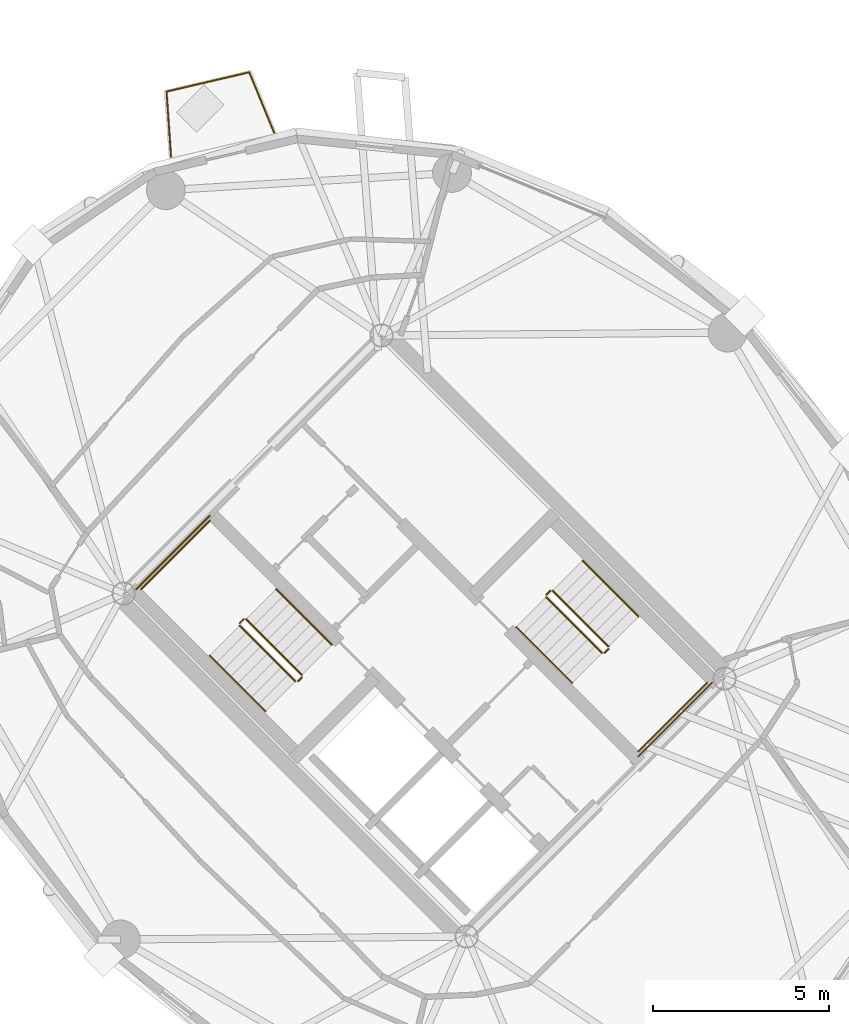
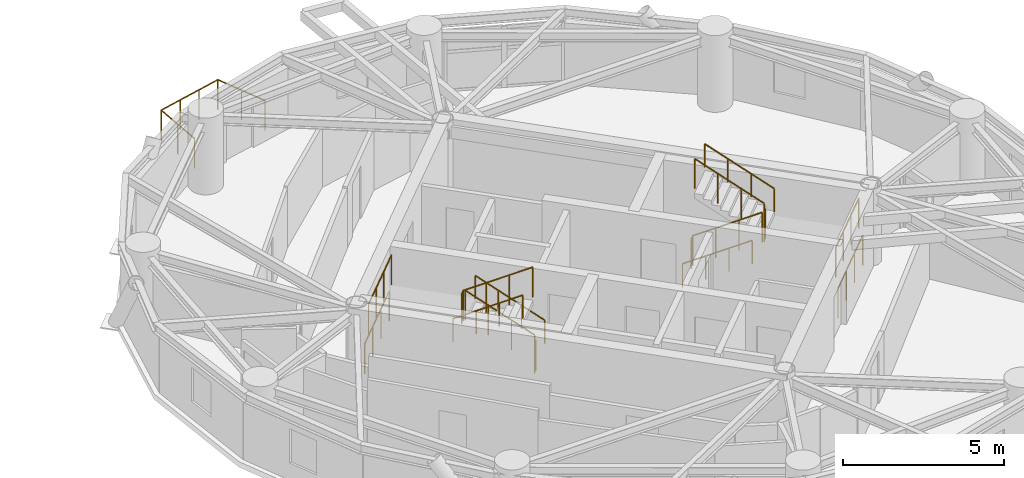
# One storey, part 15 of 16: 17 railings.
"""IFC4 building model written with IfcOpenShell, lengths in metres."""

from ifc_helpers import new_model, si_unit, direction, frame, origin, origin_2d, place, context, subcontext, project, spatial, circle, extrude, material, type_object, element, save


model = new_model("IFC4")

# Units and contexts
model_context = context("Model", 3, precision=1e-05, world=origin(), true_north=direction((0.0, 1.0)))
body_context = subcontext(model_context, "Body", "Model", "MODEL_VIEW")
ifc_project = project(units=[si_unit("LENGTHUNIT", "METRE"), si_unit("AREAUNIT", "SQUARE_METRE"), si_unit("VOLUMEUNIT", "CUBIC_METRE"), si_unit("PLANEANGLEUNIT", "RADIAN"), si_unit("MASSUNIT", "GRAM", prefix="KILO")], contexts=[model_context])

# Site, building, storey
site_placement = place(None, origin())
site = spatial("IfcSite", under=ifc_project, at=site_placement, CompositionType="ELEMENT")
building_placement = place(site_placement, origin())
building = spatial("IfcBuilding", under=site, at=building_placement, Name="Cununo Teusaquillo Station Towers", CompositionType="ELEMENT")
storey_placement = place(building_placement, frame((0.0, 0.0, 214.1201171875)))
storey = spatial("IfcBuildingStorey", under=building, at=storey_placement, Name="L68", CompositionType="ELEMENT", Elevation=214.1201171875)

# Railings
ifc_material_1 = material(Name="Anodised dark bronze aluminium EN AW-6063-T6", Category="aluminium")
railing_type_1 = type_object("IfcRailingType", Name="RL-EXT-GUARD", PredefinedType="GUARDRAIL", material=ifc_material_1)
railing_1_placement = place(storey_placement, frame((50.320556640625, 38.0986328125, 0.0)))
element("IfcRailing", 1, at=railing_1_placement, inside=storey, type_object=railing_type_1, Name="L68 Tower B Balcony Guardrail C03", PredefinedType="GUARDRAIL", context=body_context, shape_type="SweptSolid", body=[
    extrude(circle(Radius=0.02392578125, at=origin_2d()), frame((0.0, 0.0, 1.1259765625), z_axis=(-0.068657089116, 0.997640318007, 0.0), x_axis=(-0.997640318007, -0.068657089116, 0.0)), (0.0, 0.0, 1.0), 1.84912109375),
    extrude(circle(Radius=0.02392578125, at=origin_2d()), frame((-0.126953125, 1.8447265625, 1.1259765625), z_axis=(0.973841956979, 0.227226413139, 0.0), x_axis=(-0.227226413139, 0.973841956979, 0.0)), (0.0, 0.0, 1.0), 2.409912109375),
    extrude(circle(Radius=0.02392578125, at=origin_2d()), frame((2.219970703125, 2.392333984375, 1.1259765625), z_axis=(0.379912800848, -0.925022304462, 0.0), x_axis=(0.925022304462, 0.379912800848, 0.0)), (0.0, 0.0, 1.0), 1.848876953125),
    extrude(circle(Radius=0.02099609375, at=origin_2d()), origin(), (0.0, 0.0, 1.0), 1.101806640625),
    extrude(circle(Radius=0.02099609375, at=origin_2d()), frame((-0.0634765625, 0.92236328125, 0.0)), (0.0, 0.0, 1.0), 1.101806640625),
    extrude(circle(Radius=0.02099609375, at=origin_2d()), frame((-0.126953125, 1.8447265625, 0.0)), (0.0, 0.0, 1.0), 1.101806640625),
    extrude(circle(Radius=0.02099609375, at=origin_2d()), frame((0.6552734375, 2.02734375, 0.0)), (0.0, 0.0, 1.0), 1.101806640625),
    extrude(circle(Radius=0.02099609375, at=origin_2d()), frame((1.437744140625, 2.209716796875, 0.0)), (0.0, 0.0, 1.0), 1.101806640625),
    extrude(circle(Radius=0.02099609375, at=origin_2d()), frame((2.219970703125, 2.392333984375, 0.0)), (0.0, 0.0, 1.0), 1.101806640625),
    extrude(circle(Radius=0.02099609375, at=origin_2d()), frame((2.5712890625, 1.537109375, 0.0)), (0.0, 0.0, 1.0), 1.101806640625),
    extrude(circle(Radius=0.02099609375, at=origin_2d()), frame((2.92236328125, 0.68212890625, 0.0)), (0.0, 0.0, 1.0), 1.101806640625),
])
ifc_material_2 = material(Name="Steel EN 10025-2 S355J2", Category="steel")
railing_type_2 = type_object("IfcRailingType", Name="RL-INT-GUARD", PredefinedType="GUARDRAIL", material=ifc_material_2)
railing_2_placement = place(storey_placement, frame((54.03515625, 23.39697265625, 0.16162109375)))
element("IfcRailing", 2, at=railing_2_placement, inside=storey, type_object=railing_type_2, Name="L68 ST-T2-1 stair guard 1", PredefinedType="GUARDRAIL", context=body_context, shape_type="SweptSolid", body=[
    extrude(circle(Radius=0.02392578125, at=origin_2d()), frame((0.0, 0.0, 1.1259765625), z_axis=(-0.612361259024, 0.612361259024, 0.500027376144), x_axis=(-0.707106781187, -0.707106781187, 0.0)), (0.0, 0.0, 1.0), 2.586181640625),
    extrude(circle(Radius=0.02099609375, at=origin_2d()), origin(), (0.0, 0.0, 1.0), 1.101806640625),
    extrude(circle(Radius=0.02099609375, at=origin_2d()), frame((-0.52783203125, 0.52783203125, 0.43115234375)), (0.0, 0.0, 1.0), 1.101806640625),
    extrude(circle(Radius=0.02099609375, at=origin_2d()), frame((-1.055908203125, 1.055908203125, 0.862060546875)), (0.0, 0.0, 1.0), 1.101806640625),
    extrude(circle(Radius=0.02099609375, at=origin_2d()), frame((-1.583740234375, 1.583740234375, 1.293212890625)), (0.0, 0.0, 1.0), 1.101806640625),
])
railing_3_placement = place(storey_placement, frame((52.380615234375, 24.980712890625, 1.454833984375)))
element("IfcRailing", 3, at=railing_3_placement, inside=storey, type_object=railing_type_2, Name="L68 ST-T2-1 stair guard 2", PredefinedType="GUARDRAIL", context=body_context, shape_type="SweptSolid", body=[
    extrude(circle(Radius=0.02392578125, at=origin_2d()), frame((0.0, 0.0, 1.1259765625), z_axis=(-0.7078691598, -0.706343579714, 0.0), x_axis=(0.706343579714, -0.7078691598, 0.0)), (0.0, 0.0, 1.0), 0.159912109375),
    extrude(circle(Radius=0.02099609375, at=origin_2d()), origin(), (0.0, 0.0, 1.0), 1.101806640625),
    extrude(circle(Radius=0.02099609375, at=origin_2d()), frame((-0.11328125, -0.113037109375, 0.0)), (0.0, 0.0, 1.0), 1.101806640625),
])
railing_4_placement = place(storey_placement, frame((51.426025390625, 27.77392578125, 1.454833984375)))
element("IfcRailing", 4, at=railing_4_placement, inside=storey, type_object=railing_type_2, Name="L68 ST-T2-1 stair guard 3", PredefinedType="GUARDRAIL", context=body_context, shape_type="SweptSolid", body=[
    extrude(circle(Radius=0.02392578125, at=origin_2d()), frame((0.0, 0.0, 1.1259765625), z_axis=(-0.707106781187, -0.707106781187, 0.0), x_axis=(0.707106781187, -0.707106781187, 0.0)), (0.0, 0.0, 1.0), 2.760009765625),
    extrude(circle(Radius=0.02099609375, at=origin_2d()), origin(), (0.0, 0.0, 1.0), 1.101806640625),
    extrude(circle(Radius=0.02099609375, at=origin_2d()), frame((-0.650634765625, -0.650634765625, 0.0)), (0.0, 0.0, 1.0), 1.101806640625),
    extrude(circle(Radius=0.02099609375, at=origin_2d()), frame((-1.301025390625, -1.301025390625, 0.0)), (0.0, 0.0, 1.0), 1.101806640625),
    extrude(circle(Radius=0.02099609375, at=origin_2d()), frame((-1.95166015625, -1.95166015625, 0.0)), (0.0, 0.0, 1.0), 1.101806640625),
])
railing_5_placement = place(storey_placement, frame((52.267333984375, 24.796875, 1.616455078125)))
element("IfcRailing", 5, at=railing_5_placement, inside=storey, type_object=railing_type_2, Name="L68 ST-T2-1 stair guard 4", PredefinedType="GUARDRAIL", context=body_context, shape_type="SweptSolid", body=[
    extrude(circle(Radius=0.02392578125, at=origin_2d()), frame((0.0, 0.0, 1.1259765625), z_axis=(0.612391349474, -0.612296961165, 0.500069261639), x_axis=(0.707052281454, 0.707161276719, 0.0)), (0.0, 0.0, 1.0), 2.586669921875),
    extrude(circle(Radius=0.02099609375, at=origin_2d()), origin(), (0.0, 0.0, 1.0), 1.101806640625),
    extrude(circle(Radius=0.02099609375, at=origin_2d()), frame((0.528076171875, -0.52783203125, 0.43115234375)), (0.0, 0.0, 1.0), 1.101806640625),
    extrude(circle(Radius=0.02099609375, at=origin_2d()), frame((1.055908203125, -1.055908203125, 0.8623046875)), (0.0, 0.0, 1.0), 1.101806640625),
    extrude(circle(Radius=0.02099609375, at=origin_2d()), frame((1.583984375, -1.583740234375, 1.29345703125)), (0.0, 0.0, 1.0), 1.101806640625),
])
railing_6_placement = place(storey_placement, frame((54.03515625, 23.326171875, 0.0)))
element("IfcRailing", 6, at=railing_6_placement, inside=storey, type_object=railing_type_2, Name="L68 ST-T2-1 stair guard 5", PredefinedType="GUARDRAIL", context=body_context, shape_type="SweptSolid", body=[
    extrude(circle(Radius=0.02392578125, at=origin_2d()), frame((0.0, 0.0, 1.1259765625), z_axis=(-0.707106781187, -0.707106781187, 0.0), x_axis=(0.707106781187, -0.707106781187, 0.0)), (0.0, 0.0, 1.0), 0.159912109375),
    extrude(circle(Radius=0.02099609375, at=origin_2d()), origin(), (0.0, 0.0, 1.0), 1.101806640625),
    extrude(circle(Radius=0.02099609375, at=origin_2d()), frame((-0.113037109375, -0.113037109375, 0.0)), (0.0, 0.0, 1.0), 1.101806640625),
])
railing_7_placement = place(storey_placement, frame((51.426025390625, 27.915283203125, 0.0)))
element("IfcRailing", 7, at=railing_7_placement, inside=storey, type_object=railing_type_2, Name="L68 ST-T2-1 stair guard 6", PredefinedType="GUARDRAIL", context=body_context, shape_type="SweptSolid", body=[
    extrude(circle(Radius=0.02392578125, at=origin_2d()), frame((0.0, 0.0, 1.1259765625), z_axis=(-0.707106781187, -0.707106781187, 0.0), x_axis=(0.707106781187, -0.707106781187, 0.0)), (0.0, 0.0, 1.0), 2.9599609375),
    extrude(circle(Radius=0.02099609375, at=origin_2d()), origin(), (0.0, 0.0, 1.0), 1.101806640625),
    extrude(circle(Radius=0.02099609375, at=origin_2d()), frame((-0.69775390625, -0.69775390625, 0.0)), (0.0, 0.0, 1.0), 1.101806640625),
    extrude(circle(Radius=0.02099609375, at=origin_2d()), frame((-1.395263671875, -1.395263671875, 0.0)), (0.0, 0.0, 1.0), 1.101806640625),
    extrude(circle(Radius=0.02099609375, at=origin_2d()), frame((-2.093017578125, -2.093017578125, 0.0)), (0.0, 0.0, 1.0), 1.101806640625),
])
railing_8_placement = place(storey_placement, frame((60.96484375, 25.60302734375, 0.16162109375)))
element("IfcRailing", 8, at=railing_8_placement, inside=storey, type_object=railing_type_2, Name="L68 ST-T2-2 stair guard 1", PredefinedType="GUARDRAIL", context=body_context, shape_type="SweptSolid", body=[
    extrude(circle(Radius=0.02392578125, at=origin_2d()), frame((0.0, 0.0, 1.1259765625), z_axis=(0.612361259024, -0.612361259024, 0.500027376144), x_axis=(0.707106781187, 0.707106781187, 0.0)), (0.0, 0.0, 1.0), 2.586181640625),
    extrude(circle(Radius=0.02099609375, at=origin_2d()), origin(), (0.0, 0.0, 1.0), 1.101806640625),
    extrude(circle(Radius=0.02099609375, at=origin_2d()), frame((0.52783203125, -0.52783203125, 0.43115234375)), (0.0, 0.0, 1.0), 1.101806640625),
    extrude(circle(Radius=0.02099609375, at=origin_2d()), frame((1.055908203125, -1.055908203125, 0.862060546875)), (0.0, 0.0, 1.0), 1.101806640625),
    extrude(circle(Radius=0.02099609375, at=origin_2d()), frame((1.583740234375, -1.583740234375, 1.293212890625)), (0.0, 0.0, 1.0), 1.101806640625),
])
railing_9_placement = place(storey_placement, frame((62.619384765625, 24.019287109375, 1.454833984375)))
element("IfcRailing", 9, at=railing_9_placement, inside=storey, type_object=railing_type_2, Name="L68 ST-T2-2 stair guard 2", PredefinedType="GUARDRAIL", context=body_context, shape_type="SweptSolid", body=[
    extrude(circle(Radius=0.02392578125, at=origin_2d()), frame((0.0, 0.0, 1.1259765625), z_axis=(0.7078691598, 0.706343579714, 0.0), x_axis=(-0.706343579714, 0.7078691598, 0.0)), (0.0, 0.0, 1.0), 0.159912109375),
    extrude(circle(Radius=0.02099609375, at=origin_2d()), origin(), (0.0, 0.0, 1.0), 1.101806640625),
    extrude(circle(Radius=0.02099609375, at=origin_2d()), frame((0.11328125, 0.113037109375, 0.0)), (0.0, 0.0, 1.0), 1.101806640625),
])
railing_10_placement = place(storey_placement, frame((63.573974609375, 21.22607421875, 1.454833984375)))
element("IfcRailing", 10, at=railing_10_placement, inside=storey, type_object=railing_type_2, Name="L68 ST-T2-2 stair guard 3", PredefinedType="GUARDRAIL", context=body_context, shape_type="SweptSolid", body=[
    extrude(circle(Radius=0.02392578125, at=origin_2d()), frame((0.0, 0.0, 1.1259765625), z_axis=(0.707106781187, 0.707106781187, 0.0), x_axis=(-0.707106781187, 0.707106781187, 0.0)), (0.0, 0.0, 1.0), 2.760009765625),
    extrude(circle(Radius=0.02099609375, at=origin_2d()), origin(), (0.0, 0.0, 1.0), 1.101806640625),
    extrude(circle(Radius=0.02099609375, at=origin_2d()), frame((0.650634765625, 0.650634765625, 0.0)), (0.0, 0.0, 1.0), 1.101806640625),
    extrude(circle(Radius=0.02099609375, at=origin_2d()), frame((1.301025390625, 1.301025390625, 0.0)), (0.0, 0.0, 1.0), 1.101806640625),
    extrude(circle(Radius=0.02099609375, at=origin_2d()), frame((1.95166015625, 1.95166015625, 0.0)), (0.0, 0.0, 1.0), 1.101806640625),
])
railing_11_placement = place(storey_placement, frame((62.732666015625, 24.203125, 1.616455078125)))
element("IfcRailing", 11, at=railing_11_placement, inside=storey, type_object=railing_type_2, Name="L68 ST-T2-2 stair guard 4", PredefinedType="GUARDRAIL", context=body_context, shape_type="SweptSolid", body=[
    extrude(circle(Radius=0.02392578125, at=origin_2d()), frame((0.0, 0.0, 1.1259765625), z_axis=(-0.612391349474, 0.612296961165, 0.500069261639), x_axis=(-0.707052281454, -0.707161276719, 0.0)), (0.0, 0.0, 1.0), 2.586669921875),
    extrude(circle(Radius=0.02099609375, at=origin_2d()), origin(), (0.0, 0.0, 1.0), 1.101806640625),
    extrude(circle(Radius=0.02099609375, at=origin_2d()), frame((-0.528076171875, 0.52783203125, 0.43115234375)), (0.0, 0.0, 1.0), 1.101806640625),
    extrude(circle(Radius=0.02099609375, at=origin_2d()), frame((-1.055908203125, 1.055908203125, 0.8623046875)), (0.0, 0.0, 1.0), 1.101806640625),
    extrude(circle(Radius=0.02099609375, at=origin_2d()), frame((-1.583984375, 1.583740234375, 1.29345703125)), (0.0, 0.0, 1.0), 1.101806640625),
])
railing_12_placement = place(storey_placement, frame((60.96484375, 25.673828125, 0.0)))
element("IfcRailing", 12, at=railing_12_placement, inside=storey, type_object=railing_type_2, Name="L68 ST-T2-2 stair guard 5", PredefinedType="GUARDRAIL", context=body_context, shape_type="SweptSolid", body=[
    extrude(circle(Radius=0.02392578125, at=origin_2d()), frame((0.0, 0.0, 1.1259765625), z_axis=(0.707106781187, 0.707106781187, 0.0), x_axis=(-0.707106781187, 0.707106781187, 0.0)), (0.0, 0.0, 1.0), 0.159912109375),
    extrude(circle(Radius=0.02099609375, at=origin_2d()), origin(), (0.0, 0.0, 1.0), 1.101806640625),
    extrude(circle(Radius=0.02099609375, at=origin_2d()), frame((0.113037109375, 0.113037109375, 0.0)), (0.0, 0.0, 1.0), 1.101806640625),
])
railing_13_placement = place(storey_placement, frame((63.573974609375, 21.084716796875, 0.0)))
element("IfcRailing", 13, at=railing_13_placement, inside=storey, type_object=railing_type_2, Name="L68 ST-T2-2 stair guard 6", PredefinedType="GUARDRAIL", context=body_context, shape_type="SweptSolid", body=[
    extrude(circle(Radius=0.02392578125, at=origin_2d()), frame((0.0, 0.0, 1.1259765625), z_axis=(0.707106781187, 0.707106781187, 0.0), x_axis=(-0.707106781187, 0.707106781187, 0.0)), (0.0, 0.0, 1.0), 2.9599609375),
    extrude(circle(Radius=0.02099609375, at=origin_2d()), origin(), (0.0, 0.0, 1.0), 1.101806640625),
    extrude(circle(Radius=0.02099609375, at=origin_2d()), frame((0.69775390625, 0.69775390625, 0.0)), (0.0, 0.0, 1.0), 1.101806640625),
    extrude(circle(Radius=0.02099609375, at=origin_2d()), frame((1.395263671875, 1.395263671875, 0.0)), (0.0, 0.0, 1.0), 1.101806640625),
    extrude(circle(Radius=0.02099609375, at=origin_2d()), frame((2.093017578125, 2.093017578125, 0.0)), (0.0, 0.0, 1.0), 1.101806640625),
])
ifc_material_3 = material(Name="Steel EN 10025-2 S355J2", Category="steel")
railing_type_3 = type_object("IfcRailingType", Name="RL-INT-HRAIL", PredefinedType="HANDRAIL", material=ifc_material_3)
railing_14_placement = place(storey_placement, frame((54.8837890625, 24.245361328125, 0.16162109375)))
element("IfcRailing", 14, at=railing_14_placement, inside=storey, type_object=railing_type_3, Name="L68 ST-T2-1 stair handrail 1", PredefinedType="HANDRAIL", context=body_context, shape_type="SweptSolid", body=[
    extrude(circle(Radius=0.02392578125, at=origin_2d()), frame((0.0, 0.0, 0.8759765625), z_axis=(-0.612384857071, 0.612384857071, 0.499969572735), x_axis=(-0.707106781187, -0.707106781187, 0.0)), (0.0, 0.0, 1.0), 2.586669921875),
    extrude(circle(Radius=0.02099609375, at=origin_2d()), origin(), (0.0, 0.0, 1.0), 0.851806640625),
    extrude(circle(Radius=0.02099609375, at=origin_2d()), frame((-0.528076171875, 0.528076171875, 0.43115234375)), (0.0, 0.0, 1.0), 0.851806640625),
    extrude(circle(Radius=0.02099609375, at=origin_2d()), frame((-1.055908203125, 1.055908203125, 0.862060546875)), (0.0, 0.0, 1.0), 0.851806640625),
    extrude(circle(Radius=0.02099609375, at=origin_2d()), frame((-1.583984375, 1.583984375, 1.293212890625)), (0.0, 0.0, 1.0), 0.851806640625),
])
railing_15_placement = place(storey_placement, frame((51.4189453125, 23.948486328125, 1.616455078125)))
element("IfcRailing", 15, at=railing_15_placement, inside=storey, type_object=railing_type_3, Name="L68 ST-T2-1 stair handrail 2", PredefinedType="HANDRAIL", context=body_context, shape_type="SweptSolid", body=[
    extrude(circle(Radius=0.02392578125, at=origin_2d()), frame((0.0, 0.0, 0.8759765625), z_axis=(0.612355957468, -0.612355957468, 0.500040361077), x_axis=(0.707106781187, 0.707106781187, 0.0)), (0.0, 0.0, 1.0), 2.586669921875),
    extrude(circle(Radius=0.02099609375, at=origin_2d()), origin(), (0.0, 0.0, 1.0), 0.851806640625),
    extrude(circle(Radius=0.02099609375, at=origin_2d()), frame((0.528076171875, -0.528076171875, 0.43115234375)), (0.0, 0.0, 1.0), 0.851806640625),
    extrude(circle(Radius=0.02099609375, at=origin_2d()), frame((1.055908203125, -1.055908203125, 0.8623046875)), (0.0, 0.0, 1.0), 0.851806640625),
    extrude(circle(Radius=0.02099609375, at=origin_2d()), frame((1.583984375, -1.583984375, 1.29345703125)), (0.0, 0.0, 1.0), 0.851806640625),
])
railing_16_placement = place(storey_placement, frame((60.1162109375, 24.754638671875, 0.16162109375)))
element("IfcRailing", 16, at=railing_16_placement, inside=storey, type_object=railing_type_3, Name="L68 ST-T2-2 stair handrail 1", PredefinedType="HANDRAIL", context=body_context, shape_type="SweptSolid", body=[
    extrude(circle(Radius=0.02392578125, at=origin_2d()), frame((0.0, 0.0, 0.8759765625), z_axis=(0.612384857071, -0.612384857071, 0.499969572735), x_axis=(0.707106781187, 0.707106781187, 0.0)), (0.0, 0.0, 1.0), 2.586669921875),
    extrude(circle(Radius=0.02099609375, at=origin_2d()), origin(), (0.0, 0.0, 1.0), 0.851806640625),
    extrude(circle(Radius=0.02099609375, at=origin_2d()), frame((0.528076171875, -0.528076171875, 0.43115234375)), (0.0, 0.0, 1.0), 0.851806640625),
    extrude(circle(Radius=0.02099609375, at=origin_2d()), frame((1.055908203125, -1.055908203125, 0.862060546875)), (0.0, 0.0, 1.0), 0.851806640625),
    extrude(circle(Radius=0.02099609375, at=origin_2d()), frame((1.583984375, -1.583984375, 1.293212890625)), (0.0, 0.0, 1.0), 0.851806640625),
])
railing_17_placement = place(storey_placement, frame((63.5810546875, 25.051513671875, 1.616455078125)))
element("IfcRailing", 17, at=railing_17_placement, inside=storey, type_object=railing_type_3, Name="L68 ST-T2-2 stair handrail 2", PredefinedType="HANDRAIL", context=body_context, shape_type="SweptSolid", body=[
    extrude(circle(Radius=0.02392578125, at=origin_2d()), frame((0.0, 0.0, 0.8759765625), z_axis=(-0.612355957468, 0.612355957468, 0.500040361077), x_axis=(-0.707106781187, -0.707106781187, 0.0)), (0.0, 0.0, 1.0), 2.586669921875),
    extrude(circle(Radius=0.02099609375, at=origin_2d()), origin(), (0.0, 0.0, 1.0), 0.851806640625),
    extrude(circle(Radius=0.02099609375, at=origin_2d()), frame((-0.528076171875, 0.528076171875, 0.43115234375)), (0.0, 0.0, 1.0), 0.851806640625),
    extrude(circle(Radius=0.02099609375, at=origin_2d()), frame((-1.055908203125, 1.055908203125, 0.8623046875)), (0.0, 0.0, 1.0), 0.851806640625),
    extrude(circle(Radius=0.02099609375, at=origin_2d()), frame((-1.583984375, 1.583984375, 1.29345703125)), (0.0, 0.0, 1.0), 0.851806640625),
])

save(model, "model.ifc")
